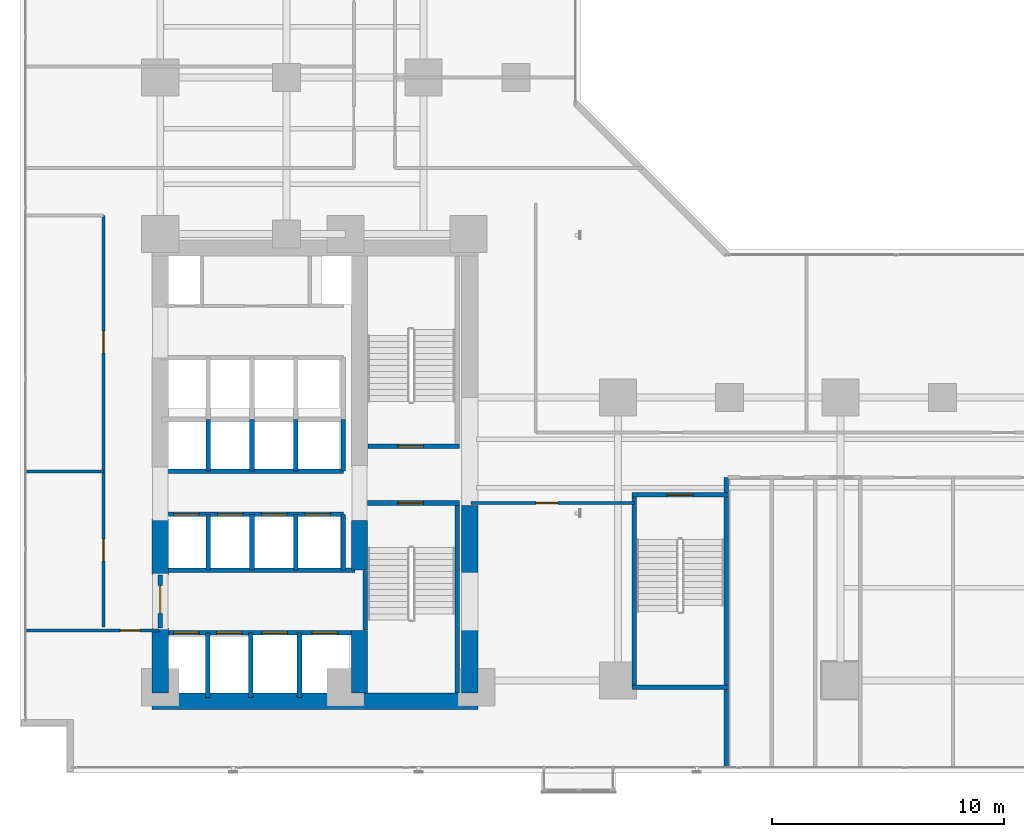
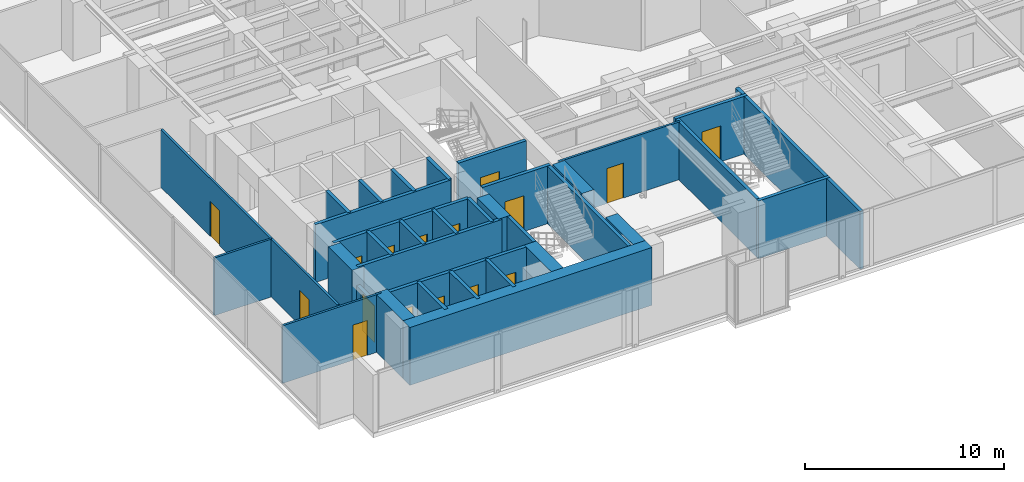
# One storey, part 22 of 27: 35 walls, 16 doors, 16 openings.
"""IFC4 building model written with IfcOpenShell, lengths in metres."""

from ifc_helpers import new_model, si_unit, direction, frame, frame_2d, origin, place, context, subcontext, project, spatial, rectangle, extrude, material, layer, layer_set, type_object, element, fill, save


model = new_model("IFC4")

# Units and contexts
model_context = context("Model", 3, precision=1e-05, world=origin(), true_north=direction((0.0, 1.0)))
body_context = subcontext(model_context, "Body", "Model", "MODEL_VIEW")
ifc_project = project(units=[si_unit("LENGTHUNIT", "METRE"), si_unit("AREAUNIT", "SQUARE_METRE"), si_unit("VOLUMEUNIT", "CUBIC_METRE"), si_unit("PLANEANGLEUNIT", "RADIAN"), si_unit("MASSUNIT", "GRAM", prefix="KILO")], contexts=[model_context])

# Site, building, storey
site_placement = place(None, origin())
site = spatial("IfcSite", under=ifc_project, at=site_placement, CompositionType="ELEMENT")
building_placement = place(site_placement, origin())
building = spatial("IfcBuilding", under=site, at=building_placement, Name="Kolvaren Waterfront Exchange", CompositionType="ELEMENT")
storey_placement = place(building_placement, frame((0.0, 0.0, 60.0)))
storey = spatial("IfcBuildingStorey", under=building, at=storey_placement, Name="L15", CompositionType="ELEMENT", Elevation=60.0)

# Wall, opening, door
ifc_material_1 = material(Name="Precast concrete C40/50", Category="concrete")
ifc_layer_1 = layer(ifc_material_1, 0.199951171875, Name="Precast concrete C40/50")
ifc_layer_set_1 = layer_set([ifc_layer_1], Name="Precast concrete C40/50")
wall_type_1 = type_object("IfcWallType", Name="ARC-FIRE-200", PredefinedType="PARTITIONING", material=ifc_layer_set_1)
wall_1_placement = place(storey_placement, frame((16.39990234375, 12.85009765625, 0.0), z_axis=(0.0, 0.0, 1.0), x_axis=(1.0, 0.0, 0.0)))
wall_1 = element("IfcWall", 1, at=wall_1_placement, inside=storey, type_object=wall_type_1, Name="L15 interior wall PW-L15-ST1-THROAT-S", PredefinedType="PARTITIONING", context=body_context, shape_type="SweptSolid", body=[
    extrude(rectangle(XDim=3.960205078125, YDim=0.199951171875, at=frame_2d((1.97998046875, 0.0))), origin(), (0.0, 0.0, 1.0), 3.5400390625),
])
opening_1_placement = place(wall_1_placement, frame((1.3037109375, 0.0, 0.0)))
opening_1 = element("IfcOpeningElement", 2, at=opening_1_placement, cuts=wall_1, Name="Opening FD2", PredefinedType="OPENING", context=body_context, shape_type="SweptSolid", body=[
    extrude(rectangle(XDim=1.10009765625, YDim=2.199951171875, at=frame_2d((0.550048828125, 1.10009765625))), frame((0.0, 0.10986328125, 0.0), z_axis=(0.0, -1.0, 0.0), x_axis=(1.0, 0.0, 0.0)), (0.0, 0.0, 1.0), 0.219970703125),
])
ifc_material_2 = material(Name="Pressed steel smoke-seal fire door", Category="steel")
door_type_1 = type_object("IfcDoorType", Name="ARC-FD-1100", OperationType="NOTDEFINED", PredefinedType="DOOR", material=ifc_material_2)
door_1_placement = place(opening_1_placement, frame((1.10009765625, 0.0, 0.0), z_axis=(0.0, 0.0, 1.0), x_axis=(-1.0, 0.0, 0.0)))
door_1 = element("IfcDoor", 3, at=door_1_placement, inside=storey, type_object=door_type_1, Name="L15 door DR-L15-ST1-IN (FD2)", OperationType="SINGLE_SWING_LEFT", OverallHeight=2.199951171875, OverallWidth=1.10009765625, PredefinedType="DOOR", context=body_context, shape_type="SweptSolid", body=[
    extrude(rectangle(XDim=1.10009765625, YDim=2.199951171875, at=frame_2d((0.550048828125, 1.10009765625))), frame((0.0, 0.02490234375, 0.0), z_axis=(0.0, -1.0, 0.0), x_axis=(1.0, 0.0, 0.0)), (0.0, 0.0, 1.0), 0.050048828125),
])
fill(opening_1, door_1)

wall_2_placement = place(storey_placement, frame((16.409912109375, 15.300048828125, 0.0), z_axis=(0.0, 0.0, 1.0), x_axis=(1.0, 0.0, 0.0)))
wall_2 = element("IfcWall", 4, at=wall_2_placement, inside=storey, type_object=wall_type_1, Name="L15 interior wall PW-L15-ST2-THROAT-N", PredefinedType="PARTITIONING", context=body_context, shape_type="SweptSolid", body=[
    extrude(rectangle(XDim=3.9501953125, YDim=0.199951171875, at=frame_2d((1.97509765625, 0.0))), origin(), (0.0, 0.0, 1.0), 3.5400390625),
])
opening_2_placement = place(wall_2_placement, frame((1.293701171875, 0.0, 0.0)))
opening_2 = element("IfcOpeningElement", 5, at=opening_2_placement, cuts=wall_2, Name="Opening FD2", PredefinedType="OPENING", context=body_context, shape_type="SweptSolid", body=[
    extrude(rectangle(XDim=1.10009765625, YDim=2.199951171875, at=frame_2d((0.550048828125, 1.10009765625))), frame((0.0, 0.10986328125, 0.0), z_axis=(0.0, -1.0, 0.0), x_axis=(1.0, 0.0, 0.0)), (0.0, 0.0, 1.0), 0.219970703125),
])
door_2_placement = place(opening_2_placement, origin())
door_2 = element("IfcDoor", 6, at=door_2_placement, inside=storey, type_object=door_type_1, Name="L15 door DR-L15-ST2-IN (FD2)", OperationType="SINGLE_SWING_RIGHT", OverallHeight=2.199951171875, OverallWidth=1.10009765625, PredefinedType="DOOR", context=body_context, shape_type="SweptSolid", body=[
    extrude(rectangle(XDim=1.10009765625, YDim=2.199951171875, at=frame_2d((0.550048828125, 1.10009765625))), frame((0.0, 0.02490234375, 0.0), z_axis=(0.0, -1.0, 0.0), x_axis=(1.0, 0.0, 0.0)), (0.0, 0.0, 1.0), 0.050048828125),
])
fill(opening_2, door_2)

# Wall
wall_3_placement = place(storey_placement, frame((7.5, 9.949951171875, 0.0), z_axis=(0.0, 0.0, 1.0), x_axis=(1.0, 0.0, 0.0)))
element("IfcWall", 7, at=wall_3_placement, inside=storey, type_object=wall_type_1, Name="L15 interior wall PW-L15-FF-N", PredefinedType="PARTITIONING", context=body_context, shape_type="SweptSolid", body=[
    extrude(rectangle(XDim=8.35009765625, YDim=0.199951171875, at=frame_2d((4.175048828125, 0.0))), origin(), (0.0, 0.0, 1.0), 3.5400390625),
])

# Wall, opening, door
wall_4_placement = place(storey_placement, frame((7.449951171875, 7.449951171875, 0.0), z_axis=(0.0, 0.0, 1.0), x_axis=(0.0, 1.0, 0.0)))
wall_4 = element("IfcWall", 8, at=wall_4_placement, inside=storey, type_object=wall_type_1, Name="L15 interior wall PW-L15-FF-W-DOOR", PredefinedType="PARTITIONING", context=body_context, shape_type="SweptSolid", body=[
    extrude(rectangle(XDim=2.300048828125, YDim=0.199951171875, at=frame_2d((1.14990234375, 0.0))), origin(), (0.0, 0.0, 1.0), 2.52001953125),
])
opening_3_placement = place(wall_4_placement, frame((0.63330078125, 0.0, 0.0)))
opening_3 = element("IfcOpeningElement", 9, at=opening_3_placement, cuts=wall_4, Name="Opening FD3", PredefinedType="OPENING", context=body_context, shape_type="SweptSolid", body=[
    extrude(rectangle(XDim=1.199951171875, YDim=2.25, at=frame_2d((0.60009765625, 1.125))), frame((0.0, 0.10986328125, 0.0), z_axis=(0.0, -1.0, 0.0), x_axis=(1.0, 0.0, 0.0)), (0.0, 0.0, 1.0), 0.219970703125),
])
ifc_material_3 = material(Name="Pressed steel fire door", Category="steel")
door_type_2 = type_object("IfcDoorType", Name="ARC-FD-1200", OperationType="NOTDEFINED", PredefinedType="DOOR", material=ifc_material_3)
door_3_placement = place(opening_3_placement, frame((1.199951171875, 0.0, 0.0), z_axis=(0.0, 0.0, 1.0), x_axis=(-1.0, 0.0, 0.0)))
door_3 = element("IfcDoor", 10, at=door_3_placement, inside=storey, type_object=door_type_2, Name="L15 door DR-L15-FF-OUT (FD3)", OperationType="SINGLE_SWING_RIGHT", OverallHeight=2.25, OverallWidth=1.199951171875, PredefinedType="DOOR", context=body_context, shape_type="SweptSolid", body=[
    extrude(rectangle(XDim=1.199951171875, YDim=2.25, at=frame_2d((0.60009765625, 1.125))), frame((0.0, 0.02490234375, 0.0), z_axis=(0.0, -1.0, 0.0), x_axis=(1.0, 0.0, 0.0)), (0.0, 0.0, 1.0), 0.050048828125),
])
fill(opening_3, door_3)

ifc_material_4 = material(Name="Acoustic gypsum steel stud", Category="steel")
ifc_layer_2 = layer(ifc_material_4, 0.125, Name="Acoustic gypsum steel stud")
ifc_layer_set_2 = layer_set([ifc_layer_2], Name="Acoustic gypsum steel stud")
wall_type_2 = type_object("IfcWallType", Name="ARC-PART-125", PredefinedType="PARTITIONING", material=ifc_layer_set_2)
wall_5_placement = place(storey_placement, frame((1.639892578125, 7.35009765625, 0.0), z_axis=(0.0, 0.0, 1.0), x_axis=(1.0, 0.0, 0.0)))
wall_5 = element("IfcWall", 11, at=wall_5_placement, inside=storey, type_object=wall_type_2, Name="L15 interior wall PW-L15-SWC-N", PredefinedType="PARTITIONING", context=body_context, shape_type="SweptSolid", body=[
    extrude(rectangle(XDim=5.760009765625, YDim=0.125, at=frame_2d((2.8798828125, 0.0))), origin(), (0.0, 0.0, 1.0), 3.5400390625),
])
opening_4_placement = place(wall_5_placement, frame((4.086669921875, 0.0, 0.0)))
opening_4 = element("IfcOpeningElement", 12, at=opening_4_placement, cuts=wall_5, Name="Opening D01", PredefinedType="OPENING", context=body_context, shape_type="SweptSolid", body=[
    extrude(rectangle(XDim=0.85009765625, YDim=2.14990234375, at=frame_2d((0.425048828125, 1.074951171875))), frame((0.0, 0.072509765625, 0.0), z_axis=(0.0, -1.0, 0.0), x_axis=(1.0, 0.0, 0.0)), (0.0, 0.0, 1.0), 0.14501953125),
])
ifc_material_5 = material(Name="Oak veneer timber leaf", Category="wood")
door_type_3 = type_object("IfcDoorType", Name="ARC-DR-900", OperationType="NOTDEFINED", PredefinedType="DOOR", material=ifc_material_5)
door_4_placement = place(opening_4_placement, origin())
door_4 = element("IfcDoor", 13, at=door_4_placement, inside=storey, type_object=door_type_3, Name="L15 door DR-L15-SWC-D (D01)", OperationType="SINGLE_SWING_RIGHT", OverallHeight=2.14990234375, OverallWidth=0.85009765625, PredefinedType="DOOR", context=body_context, shape_type="SweptSolid", body=[
    extrude(rectangle(XDim=0.85009765625, YDim=2.14990234375, at=frame_2d((0.425048828125, 1.074951171875))), frame((0.0, 0.02490234375, 0.0), z_axis=(0.0, -1.0, 0.0), x_axis=(1.0, 0.0, 0.0)), (0.0, 0.0, 1.0), 0.050048828125),
])
fill(opening_4, door_4)

# Wall, openings, doors
wall_6_placement = place(storey_placement, frame((5.0, 7.5, 0.0), z_axis=(0.0, 0.0, 1.0), x_axis=(0.0, 1.0, 0.0)))
wall_6 = element("IfcWall", 14, at=wall_6_placement, inside=storey, type_object=wall_type_2, Name="L15 interior wall PW-L15-WFLANK-E", PredefinedType="PARTITIONING", context=body_context, shape_type="SweptSolid", body=[
    extrude(rectangle(XDim=17.75, YDim=0.125, at=frame_2d((8.875, 0.0))), origin(), (0.0, 0.0, 1.0), 3.5400390625),
])
opening_5_placement = place(wall_6_placement, frame((2.85009765625, 0.0, 0.0)))
opening_5 = element("IfcOpeningElement", 15, at=opening_5_placement, cuts=wall_6, Name="Opening D02", PredefinedType="OPENING", context=body_context, shape_type="SweptSolid", body=[
    extrude(rectangle(XDim=0.949951171875, YDim=2.14990234375, at=frame_2d((0.47509765625, 1.074951171875))), frame((0.0, 0.072509765625, 0.0), z_axis=(0.0, -1.0, 0.0), x_axis=(1.0, 0.0, 0.0)), (0.0, 0.0, 1.0), 0.14501953125),
])
opening_6_placement = place(wall_6_placement, frame((11.82080078125, 0.0, 0.0)))
opening_6 = element("IfcOpeningElement", 16, at=opening_6_placement, cuts=wall_6, Name="Opening D02", PredefinedType="OPENING", context=body_context, shape_type="SweptSolid", body=[
    extrude(rectangle(XDim=0.949951171875, YDim=2.14990234375, at=frame_2d((0.47509765625, 1.074951171875))), frame((0.0, 0.072509765625, 0.0), z_axis=(0.0, -1.0, 0.0), x_axis=(1.0, 0.0, 0.0)), (0.0, 0.0, 1.0), 0.14501953125),
])
ifc_material_6 = material(Name="Oak veneer acoustic timber", Category="wood")
door_type_4 = type_object("IfcDoorType", Name="ARC-DR-950", OperationType="NOTDEFINED", PredefinedType="DOOR", material=ifc_material_6)
door_5_placement = place(opening_5_placement, origin())
door_5 = element("IfcDoor", 17, at=door_5_placement, inside=storey, type_object=door_type_4, Name="L15 door DR-L15-WFL1-D (D02)", OperationType="SINGLE_SWING_LEFT", OverallHeight=2.14990234375, OverallWidth=0.949951171875, PredefinedType="DOOR", context=body_context, shape_type="SweptSolid", body=[
    extrude(rectangle(XDim=0.949951171875, YDim=2.14990234375, at=frame_2d((0.47509765625, 1.074951171875))), frame((0.0, 0.02490234375, 0.0), z_axis=(0.0, -1.0, 0.0), x_axis=(1.0, 0.0, 0.0)), (0.0, 0.0, 1.0), 0.050048828125),
])
fill(opening_5, door_5)
door_6_placement = place(opening_6_placement, origin())
door_6 = element("IfcDoor", 18, at=door_6_placement, inside=storey, type_object=door_type_4, Name="L15 door DR-L15-WFL2-D (D02)", OperationType="SINGLE_SWING_RIGHT", OverallHeight=2.14990234375, OverallWidth=0.949951171875, PredefinedType="DOOR", context=body_context, shape_type="SweptSolid", body=[
    extrude(rectangle(XDim=0.949951171875, YDim=2.14990234375, at=frame_2d((0.47509765625, 1.074951171875))), frame((0.0, 0.02490234375, 0.0), z_axis=(0.0, -1.0, 0.0), x_axis=(1.0, 0.0, 0.0)), (0.0, 0.0, 1.0), 0.050048828125),
])
fill(opening_6, door_6)

# Wall
wall_7_placement = place(storey_placement, frame((1.639892578125, 14.199951171875, 0.0), z_axis=(0.0, 0.0, 1.0), x_axis=(1.0, 0.0, 0.0)))
element("IfcWall", 19, at=wall_7_placement, inside=storey, type_object=wall_type_2, Name="L15 interior wall PW-L15-WFLANK-MID", PredefinedType="PARTITIONING", context=body_context, shape_type="SweptSolid", body=[
    extrude(rectangle(XDim=3.360107421875, YDim=0.125, at=frame_2d((1.68017578125, 0.0))), origin(), (0.0, 0.0, 1.0), 3.5400390625),
])

# Wall, opening, door
wall_8_placement = place(storey_placement, frame((20.85009765625, 12.85009765625, 0.0), z_axis=(0.0, 0.0, 1.0), x_axis=(1.0, 0.0, 0.0)))
wall_8 = element("IfcWall", 20, at=wall_8_placement, inside=storey, type_object=wall_type_2, Name="L15 interior wall PW-L15-SWST3-N", PredefinedType="PARTITIONING", context=body_context, shape_type="SweptSolid", body=[
    extrude(rectangle(XDim=7.0498046875, YDim=0.125, at=frame_2d((3.52490234375, 0.0))), origin(), (0.0, 0.0, 1.0), 3.5400390625),
])
opening_7_placement = place(wall_8_placement, frame((2.800048828125, 0.0, 0.0)))
opening_7 = element("IfcOpeningElement", 21, at=opening_7_placement, cuts=wall_8, Name="Opening D02", PredefinedType="OPENING", context=body_context, shape_type="SweptSolid", body=[
    extrude(rectangle(XDim=0.949951171875, YDim=2.14990234375, at=frame_2d((0.47509765625, 1.074951171875))), frame((0.0, 0.072509765625, 0.0), z_axis=(0.0, -1.0, 0.0), x_axis=(1.0, 0.0, 0.0)), (0.0, 0.0, 1.0), 0.14501953125),
])
door_7_placement = place(opening_7_placement, origin())
door_7 = element("IfcDoor", 22, at=door_7_placement, inside=storey, type_object=door_type_4, Name="L15 door DR-L15-SWST3-D (D02)", OperationType="SINGLE_SWING_LEFT", OverallHeight=2.14990234375, OverallWidth=0.949951171875, PredefinedType="DOOR", context=body_context, shape_type="SweptSolid", body=[
    extrude(rectangle(XDim=0.949951171875, YDim=2.14990234375, at=frame_2d((0.47509765625, 1.074951171875))), frame((0.0, 0.02490234375, 0.0), z_axis=(0.0, -1.0, 0.0), x_axis=(1.0, 0.0, 0.0)), (0.0, 0.0, 1.0), 0.050048828125),
])
fill(opening_7, door_7)

# Walls
ifc_material_7 = material(Name="Concrete C40/50", Category="concrete")
ifc_layer_3 = layer(ifc_material_7, 0.199951171875, Name="Concrete C40/50")
ifc_layer_set_3 = layer_set([ifc_layer_3], Name="Concrete C40/50")
wall_type_3 = type_object("IfcWallType", Name="ARC-SHAFT-200", PredefinedType="PARTITIONING", material=ifc_layer_set_3)
wall_9_placement = place(storey_placement, frame((16.300048828125, 7.360107421875, 0.0), z_axis=(0.0, 0.0, 1.0), x_axis=(0.0, 1.0, 0.0)))
element("IfcWall", 23, at=wall_9_placement, inside=storey, type_object=wall_type_3, Name="L15 structural stairwell wall PW-L15-ST1-W", PredefinedType="SHEAR", context=body_context, shape_type="SweptSolid", body=[
    extrude(rectangle(XDim=2.579833984375, YDim=0.199951171875, at=frame_2d((1.2900390625, 0.0))), origin(), (0.0, 0.0, 1.0), 3.5400390625),
])
wall_10_placement = place(storey_placement, frame((20.260009765625, 4.659912109375, 0.0), z_axis=(0.0, 0.0, 1.0), x_axis=(0.0, 1.0, 0.0)))
element("IfcWall", 24, at=wall_10_placement, inside=storey, type_object=wall_type_3, Name="L15 structural stairwell wall PW-L15-ST1-E", PredefinedType="SHEAR", context=body_context, shape_type="SweptSolid", body=[
    extrude(rectangle(XDim=8.090087890625, YDim=0.199951171875, at=frame_2d((4.044921875, 0.0))), origin(), (0.0, 0.0, 1.0), 3.5400390625),
])
wall_11_placement = place(storey_placement, frame((27.89990234375, 5.0, 0.0), z_axis=(0.0, 0.0, 1.0), x_axis=(0.0, 1.0, 0.0)))
element("IfcWall", 25, at=wall_11_placement, inside=storey, type_object=wall_type_3, Name="L15 structural stairwell wall PW-L15-ST3-W", PredefinedType="SHEAR", context=body_context, shape_type="SweptSolid", body=[
    extrude(rectangle(XDim=8.10009765625, YDim=0.199951171875, at=frame_2d((4.050048828125, 0.0))), origin(), (0.0, 0.0, 1.0), 3.5400390625),
])
wall_12_placement = place(storey_placement, frame((31.860107421875, 1.43994140625, 0.0), z_axis=(0.0, 0.0, 1.0), x_axis=(0.0, 1.0, 0.0)))
element("IfcWall", 26, at=wall_12_placement, inside=storey, type_object=wall_type_3, Name="L15 structural stairwell wall PW-L15-ST3-E", PredefinedType="SHEAR", context=body_context, shape_type="SweptSolid", body=[
    extrude(rectangle(XDim=12.510009765625, YDim=0.199951171875, at=frame_2d((6.2548828125, 0.0))), origin(), (0.0, 0.0, 1.0), 3.5400390625),
])
wall_13_placement = place(storey_placement, frame((27.800048828125, 4.89990234375, 0.0), z_axis=(0.0, 0.0, 1.0), x_axis=(1.0, 0.0, 0.0)))
element("IfcWall", 27, at=wall_13_placement, inside=storey, type_object=wall_type_3, Name="L15 structural stairwell wall PW-L15-ST3-S", PredefinedType="SHEAR", context=body_context, shape_type="SweptSolid", body=[
    extrude(rectangle(XDim=4.159912109375, YDim=0.199951171875, at=frame_2d((2.080078125, 0.0))), origin(), (0.0, 0.0, 1.0), 3.5400390625),
])

# Wall, opening, door
wall_14_placement = place(storey_placement, frame((27.800048828125, 13.199951171875, 0.0), z_axis=(0.0, 0.0, 1.0), x_axis=(1.0, 0.0, 0.0)))
wall_14 = element("IfcWall", 28, at=wall_14_placement, inside=storey, type_object=wall_type_3, Name="L15 structural stairwell wall PW-L15-ST3-N", PredefinedType="SHEAR", context=body_context, shape_type="SweptSolid", body=[
    extrude(rectangle(XDim=4.159912109375, YDim=0.199951171875, at=frame_2d((2.080078125, 0.0))), origin(), (0.0, 0.0, 1.0), 3.5400390625),
])
opening_8_placement = place(wall_14_placement, frame((1.530029296875, 0.0, 0.0)))
opening_8 = element("IfcOpeningElement", 29, at=opening_8_placement, cuts=wall_14, Name="Opening FD2", PredefinedType="OPENING", context=body_context, shape_type="SweptSolid", body=[
    extrude(rectangle(XDim=1.10009765625, YDim=2.199951171875, at=frame_2d((0.550048828125, 1.10009765625))), frame((0.0, 0.10986328125, 0.0), z_axis=(0.0, -1.0, 0.0), x_axis=(1.0, 0.0, 0.0)), (0.0, 0.0, 1.0), 0.219970703125),
])
door_8_placement = place(opening_8_placement, frame((1.10009765625, 0.0, 0.0), z_axis=(0.0, 0.0, 1.0), x_axis=(-1.0, 0.0, 0.0)))
door_8 = element("IfcDoor", 30, at=door_8_placement, inside=storey, type_object=door_type_1, Name="L15 door DR-L15-ST3-IN (FD2)", OperationType="SINGLE_SWING_LEFT", OverallHeight=2.199951171875, OverallWidth=1.10009765625, PredefinedType="DOOR", context=body_context, shape_type="SweptSolid", body=[
    extrude(rectangle(XDim=1.10009765625, YDim=2.199951171875, at=frame_2d((0.550048828125, 1.10009765625))), frame((0.0, 0.02490234375, 0.0), z_axis=(0.0, -1.0, 0.0), x_axis=(1.0, 0.0, 0.0)), (0.0, 0.0, 1.0), 0.050048828125),
])
fill(opening_8, door_8)

# Wall, openings, doors
wall_15_placement = place(storey_placement, frame((7.5, 7.25, 0.0), z_axis=(0.0, 0.0, 1.0), x_axis=(1.0, 0.0, 0.0)))
wall_15 = element("IfcWall", 31, at=wall_15_placement, inside=storey, type_object=wall_type_3, Name="L15 interior wall PW-L15-FF-S", PredefinedType="PARTITIONING", context=body_context, shape_type="SweptSolid", body=[
    extrude(rectangle(XDim=8.35009765625, YDim=0.199951171875, at=frame_2d((4.175048828125, 0.0))), origin(), (0.0, 0.0, 1.0), 3.5400390625),
])
opening_9_placement = place(wall_15_placement, frame((0.530029296875, 0.0, 0.0)))
opening_9 = element("IfcOpeningElement", 32, at=opening_9_placement, cuts=wall_15, Name="Opening LD1", PredefinedType="OPENING", context=body_context, shape_type="SweptSolid", body=[
    extrude(rectangle(XDim=1.10009765625, YDim=2.199951171875, at=frame_2d((0.550048828125, 1.10009765625))), frame((0.0, 0.10986328125, 0.0), z_axis=(0.0, -1.0, 0.0), x_axis=(1.0, 0.0, 0.0)), (0.0, 0.0, 1.0), 0.219970703125),
])
opening_10_placement = place(wall_15_placement, frame((2.3701171875, 0.0, 0.0)))
opening_10 = element("IfcOpeningElement", 33, at=opening_10_placement, cuts=wall_15, Name="Opening LD1", PredefinedType="OPENING", context=body_context, shape_type="SweptSolid", body=[
    extrude(rectangle(XDim=1.10009765625, YDim=2.199951171875, at=frame_2d((0.550048828125, 1.10009765625))), frame((0.0, 0.10986328125, 0.0), z_axis=(0.0, -1.0, 0.0), x_axis=(1.0, 0.0, 0.0)), (0.0, 0.0, 1.0), 0.219970703125),
])
opening_11_placement = place(wall_15_placement, frame((4.330078125, 0.0, 0.0)))
opening_11 = element("IfcOpeningElement", 34, at=opening_11_placement, cuts=wall_15, Name="Opening LD1", PredefinedType="OPENING", context=body_context, shape_type="SweptSolid", body=[
    extrude(rectangle(XDim=1.10009765625, YDim=2.199951171875, at=frame_2d((0.550048828125, 1.10009765625))), frame((0.0, 0.10986328125, 0.0), z_axis=(0.0, -1.0, 0.0), x_axis=(1.0, 0.0, 0.0)), (0.0, 0.0, 1.0), 0.219970703125),
])
opening_12_placement = place(wall_15_placement, frame((6.5, 0.0, 0.0)))
opening_12 = element("IfcOpeningElement", 35, at=opening_12_placement, cuts=wall_15, Name="Opening LD1", PredefinedType="OPENING", context=body_context, shape_type="SweptSolid", body=[
    extrude(rectangle(XDim=1.10009765625, YDim=2.199951171875, at=frame_2d((0.550048828125, 1.10009765625))), frame((0.0, 0.10986328125, 0.0), z_axis=(0.0, -1.0, 0.0), x_axis=(1.0, 0.0, 0.0)), (0.0, 0.0, 1.0), 0.219970703125),
])
ifc_material_8 = material(Name="Stainless steel sliding landing door", Category="steel")
door_type_5 = type_object("IfcDoorType", Name="ARC-LD-FF", OperationType="SLIDING_TO_LEFT", PredefinedType="DOOR", material=ifc_material_8)
door_9_placement = place(opening_9_placement, origin())
door_9 = element("IfcDoor", 36, at=door_9_placement, inside=storey, type_object=door_type_5, Name="L15 door LD-L15-FFL1 (LD1)", OperationType="SLIDING_TO_LEFT", OverallHeight=2.199951171875, OverallWidth=1.10009765625, PredefinedType="DOOR", context=body_context, shape_type="SweptSolid", body=[
    extrude(rectangle(XDim=1.10009765625, YDim=2.199951171875, at=frame_2d((0.550048828125, 1.10009765625))), frame((0.0, 0.02490234375, 0.0), z_axis=(0.0, -1.0, 0.0), x_axis=(1.0, 0.0, 0.0)), (0.0, 0.0, 1.0), 0.050048828125),
])
fill(opening_9, door_9)
door_10_placement = place(opening_10_placement, origin())
door_10 = element("IfcDoor", 37, at=door_10_placement, inside=storey, type_object=door_type_5, Name="L15 door LD-L15-FFL2 (LD1)", OperationType="SLIDING_TO_LEFT", OverallHeight=2.199951171875, OverallWidth=1.10009765625, PredefinedType="DOOR", context=body_context, shape_type="SweptSolid", body=[
    extrude(rectangle(XDim=1.10009765625, YDim=2.199951171875, at=frame_2d((0.550048828125, 1.10009765625))), frame((0.0, 0.02490234375, 0.0), z_axis=(0.0, -1.0, 0.0), x_axis=(1.0, 0.0, 0.0)), (0.0, 0.0, 1.0), 0.050048828125),
])
fill(opening_10, door_10)
door_11_placement = place(opening_11_placement, origin())
door_11 = element("IfcDoor", 38, at=door_11_placement, inside=storey, type_object=door_type_5, Name="L15 door LD-L15-GL1 (LD1)", OperationType="SLIDING_TO_LEFT", OverallHeight=2.199951171875, OverallWidth=1.10009765625, PredefinedType="DOOR", context=body_context, shape_type="SweptSolid", body=[
    extrude(rectangle(XDim=1.10009765625, YDim=2.199951171875, at=frame_2d((0.550048828125, 1.10009765625))), frame((0.0, 0.02490234375, 0.0), z_axis=(0.0, -1.0, 0.0), x_axis=(1.0, 0.0, 0.0)), (0.0, 0.0, 1.0), 0.050048828125),
])
fill(opening_11, door_11)
door_12_placement = place(opening_12_placement, origin())
door_12 = element("IfcDoor", 39, at=door_12_placement, inside=storey, type_object=door_type_5, Name="L15 door LD-L15-GL2 (LD1)", OperationType="SLIDING_TO_LEFT", OverallHeight=2.199951171875, OverallWidth=1.10009765625, PredefinedType="DOOR", context=body_context, shape_type="SweptSolid", body=[
    extrude(rectangle(XDim=1.10009765625, YDim=2.199951171875, at=frame_2d((0.550048828125, 1.10009765625))), frame((0.0, 0.02490234375, 0.0), z_axis=(0.0, -1.0, 0.0), x_axis=(1.0, 0.0, 0.0)), (0.0, 0.0, 1.0), 0.050048828125),
])
fill(opening_12, door_12)

# Walls
for number, where, z_axis, x_axis, name in (
    (40, (9.5, 4.449951171875, 0.0), (0.0, 0.0, 1.0), (0.0, 1.0, 0.0), "L15 interior wall PW-L15-SH1-DIV-95"),
    (41, (11.360107421875, 4.449951171875, 0.0), (0.0, 0.0, 1.0), (0.0, 1.0, 0.0), "L15 interior wall PW-L15-SH1-DIV-113"),
    (42, (13.4599609375, 4.449951171875, 0.0), (0.0, 0.0, 1.0), (0.0, 1.0, 0.0), "L15 interior wall PW-L15-SH1-DIV-134"),
):
    element("IfcWall", number, at=place(storey_placement, frame(where, z_axis=z_axis, x_axis=x_axis)), inside=storey, type_object=wall_type_3, Name=name, PredefinedType="PARTITIONING", context=body_context, shape_type="SweptSolid", body=[
        extrude(rectangle(XDim=2.800048828125, YDim=0.199951171875, at=frame_2d((1.39990234375, 0.0))), origin(), (0.0, 0.0, 1.0), 3.5400390625),
    ])

# Wall, openings, doors
wall_16_placement = place(storey_placement, frame((7.5, 12.360107421875, 0.0), z_axis=(0.0, 0.0, 1.0), x_axis=(1.0, 0.0, 0.0)))
wall_16 = element("IfcWall", 43, at=wall_16_placement, inside=storey, type_object=wall_type_3, Name="L15 interior wall PW-L15-PL-N", PredefinedType="PARTITIONING", context=body_context, shape_type="SweptSolid", body=[
    extrude(rectangle(XDim=7.85009765625, YDim=0.199951171875, at=frame_2d((3.925048828125, 0.0))), origin(), (0.0, 0.0, 1.0), 3.5400390625),
])
opening_13_placement = place(wall_16_placement, frame((0.530029296875, 0.0, 0.0)))
opening_13 = element("IfcOpeningElement", 44, at=opening_13_placement, cuts=wall_16, Name="Opening LD2", PredefinedType="OPENING", context=body_context, shape_type="SweptSolid", body=[
    extrude(rectangle(XDim=1.10009765625, YDim=2.199951171875, at=frame_2d((0.550048828125, 1.10009765625))), frame((0.0, 0.10986328125, 0.0), z_axis=(0.0, -1.0, 0.0), x_axis=(1.0, 0.0, 0.0)), (0.0, 0.0, 1.0), 0.219970703125),
])
opening_14_placement = place(wall_16_placement, frame((2.419921875, 0.0, 0.0)))
opening_14 = element("IfcOpeningElement", 45, at=opening_14_placement, cuts=wall_16, Name="Opening LD2", PredefinedType="OPENING", context=body_context, shape_type="SweptSolid", body=[
    extrude(rectangle(XDim=1.10009765625, YDim=2.199951171875, at=frame_2d((0.550048828125, 1.10009765625))), frame((0.0, 0.10986328125, 0.0), z_axis=(0.0, -1.0, 0.0), x_axis=(1.0, 0.0, 0.0)), (0.0, 0.0, 1.0), 0.219970703125),
])
opening_15_placement = place(wall_16_placement, frame((4.31005859375, 0.0, 0.0)))
opening_15 = element("IfcOpeningElement", 46, at=opening_15_placement, cuts=wall_16, Name="Opening LD2", PredefinedType="OPENING", context=body_context, shape_type="SweptSolid", body=[
    extrude(rectangle(XDim=1.10009765625, YDim=2.199951171875, at=frame_2d((0.550048828125, 1.10009765625))), frame((0.0, 0.10986328125, 0.0), z_axis=(0.0, -1.0, 0.0), x_axis=(1.0, 0.0, 0.0)), (0.0, 0.0, 1.0), 0.219970703125),
])
opening_16_placement = place(wall_16_placement, frame((6.199951171875, 0.0, 0.0)))
opening_16 = element("IfcOpeningElement", 47, at=opening_16_placement, cuts=wall_16, Name="Opening LD2", PredefinedType="OPENING", context=body_context, shape_type="SweptSolid", body=[
    extrude(rectangle(XDim=1.10009765625, YDim=2.199951171875, at=frame_2d((0.550048828125, 1.10009765625))), frame((0.0, 0.10986328125, 0.0), z_axis=(0.0, -1.0, 0.0), x_axis=(1.0, 0.0, 0.0)), (0.0, 0.0, 1.0), 0.219970703125),
])
ifc_material_9 = material(Name="Brushed bronze sliding landing door", Category="aluminium")
door_type_6 = type_object("IfcDoorType", Name="ARC-LD-PAX", OperationType="SLIDING_TO_LEFT", PredefinedType="DOOR", material=ifc_material_9)
door_13_placement = place(opening_13_placement, origin())
door_13 = element("IfcDoor", 48, at=door_13_placement, inside=storey, type_object=door_type_6, Name="L15 door LD-L15-PL1 (LD2)", OperationType="SLIDING_TO_LEFT", OverallHeight=2.199951171875, OverallWidth=1.10009765625, PredefinedType="DOOR", context=body_context, shape_type="SweptSolid", body=[
    extrude(rectangle(XDim=1.10009765625, YDim=2.199951171875, at=frame_2d((0.550048828125, 1.10009765625))), frame((0.0, 0.02490234375, 0.0), z_axis=(0.0, -1.0, 0.0), x_axis=(1.0, 0.0, 0.0)), (0.0, 0.0, 1.0), 0.050048828125),
])
fill(opening_13, door_13)
door_14_placement = place(opening_14_placement, origin())
door_14 = element("IfcDoor", 49, at=door_14_placement, inside=storey, type_object=door_type_6, Name="L15 door LD-L15-PL2 (LD2)", OperationType="SLIDING_TO_LEFT", OverallHeight=2.199951171875, OverallWidth=1.10009765625, PredefinedType="DOOR", context=body_context, shape_type="SweptSolid", body=[
    extrude(rectangle(XDim=1.10009765625, YDim=2.199951171875, at=frame_2d((0.550048828125, 1.10009765625))), frame((0.0, 0.02490234375, 0.0), z_axis=(0.0, -1.0, 0.0), x_axis=(1.0, 0.0, 0.0)), (0.0, 0.0, 1.0), 0.050048828125),
])
fill(opening_14, door_14)
door_15_placement = place(opening_15_placement, origin())
door_15 = element("IfcDoor", 50, at=door_15_placement, inside=storey, type_object=door_type_6, Name="L15 door LD-L15-PL3 (LD2)", OperationType="SLIDING_TO_LEFT", OverallHeight=2.199951171875, OverallWidth=1.10009765625, PredefinedType="DOOR", context=body_context, shape_type="SweptSolid", body=[
    extrude(rectangle(XDim=1.10009765625, YDim=2.199951171875, at=frame_2d((0.550048828125, 1.10009765625))), frame((0.0, 0.02490234375, 0.0), z_axis=(0.0, -1.0, 0.0), x_axis=(1.0, 0.0, 0.0)), (0.0, 0.0, 1.0), 0.050048828125),
])
fill(opening_15, door_15)
door_16_placement = place(opening_16_placement, origin())
door_16 = element("IfcDoor", 51, at=door_16_placement, inside=storey, type_object=door_type_6, Name="L15 door LD-L15-PL4 (LD2)", OperationType="SLIDING_TO_LEFT", OverallHeight=2.199951171875, OverallWidth=1.10009765625, PredefinedType="DOOR", context=body_context, shape_type="SweptSolid", body=[
    extrude(rectangle(XDim=1.10009765625, YDim=2.199951171875, at=frame_2d((0.550048828125, 1.10009765625))), frame((0.0, 0.02490234375, 0.0), z_axis=(0.0, -1.0, 0.0), x_axis=(1.0, 0.0, 0.0)), (0.0, 0.0, 1.0), 0.050048828125),
])
fill(opening_16, door_16)

# Walls
for number, where, z_axis, x_axis, name in (
    (52, (15.35009765625, 9.949951171875, 0.0), (0.0, 0.0, 1.0), (0.0, 1.0, 0.0), "L15 interior wall PW-L15-PL-E"),
    (53, (9.52001953125, 9.949951171875, 0.0), (0.0, 0.0, 1.0), (0.0, 1.0, 0.0), "L15 interior wall PW-L15-SH2-DIV-95"),
    (54, (11.409912109375, 9.949951171875, 0.0), (0.0, 0.0, 1.0), (0.0, 1.0, 0.0), "L15 interior wall PW-L15-SH2-DIV-114"),
    (55, (13.300048828125, 9.949951171875, 0.0), (0.0, 0.0, 1.0), (0.0, 1.0, 0.0), "L15 interior wall PW-L15-SH2-DIV-133"),
):
    element("IfcWall", number, at=place(storey_placement, frame(where, z_axis=z_axis, x_axis=x_axis)), inside=storey, type_object=wall_type_3, Name=name, PredefinedType="PARTITIONING", context=body_context, shape_type="SweptSolid", body=[
        extrude(rectangle(XDim=2.41015625, YDim=0.199951171875, at=frame_2d((1.205078125, 0.0))), origin(), (0.0, 0.0, 1.0), 3.5400390625),
    ])
wall_17_placement = place(storey_placement, frame((7.5, 14.219970703125, 0.0), z_axis=(0.0, 0.0, 1.0), x_axis=(1.0, 0.0, 0.0)))
element("IfcWall", 56, at=wall_17_placement, inside=storey, type_object=wall_type_3, Name="L15 interior wall PW-L15-PM-S", PredefinedType="PARTITIONING", context=body_context, shape_type="SweptSolid", body=[
    extrude(rectangle(XDim=7.85009765625, YDim=0.199951171875, at=frame_2d((3.925048828125, 0.0))), origin(), (0.0, 0.0, 1.0), 3.5400390625),
])
for number, where, z_axis, x_axis, name in (
    (57, (15.35009765625, 14.219970703125, 0.0), (0.0, 0.0, 1.0), (0.0, 1.0, 0.0), "L15 interior wall PW-L15-PM-E"),
    (58, (9.52001953125, 14.219970703125, 0.0), (0.0, 0.0, 1.0), (0.0, 1.0, 0.0), "L15 interior wall PW-L15-SH3-DIV-95"),
    (59, (11.409912109375, 14.219970703125, 0.0), (0.0, 0.0, 1.0), (0.0, 1.0, 0.0), "L15 interior wall PW-L15-SH3-DIV-114"),
    (60, (13.300048828125, 14.219970703125, 0.0), (0.0, 0.0, 1.0), (0.0, 1.0, 0.0), "L15 interior wall PW-L15-SH3-DIV-133"),
):
    element("IfcWall", number, at=place(storey_placement, frame(where, z_axis=z_axis, x_axis=x_axis)), inside=storey, type_object=wall_type_3, Name=name, PredefinedType="PARTITIONING", context=body_context, shape_type="SweptSolid", body=[
        extrude(rectangle(XDim=2.22998046875, YDim=0.199951171875, at=frame_2d((1.114990234375, 0.0))), origin(), (0.0, 0.0, 1.0), 3.5400390625),
    ])
ifc_material_10 = material(Name="Concrete C70/85", Category="concrete")
ifc_layer_4 = layer(ifc_material_10, 0.699951171875, Name="Concrete C70/85")
ifc_layer_set_4 = layer_set([ifc_layer_4], Name="Concrete C70/85")
wall_type_4 = type_object("IfcWallType", Name="STR-CWALL-700", PredefinedType="SHEAR", material=ifc_layer_set_4)
wall_18_placement = place(storey_placement, frame((7.10009765625, 4.300048828125, 0.0), z_axis=(0.0, 0.0, 1.0), x_axis=(1.0, 0.0, 0.0)))
element("IfcWall", 61, at=wall_18_placement, inside=storey, type_object=wall_type_4, Name="L15 rear-core shear wall S", PredefinedType="SHEAR", context=body_context, shape_type="SweptSolid", body=[
    extrude(rectangle(XDim=14.0498046875, YDim=0.699951171875, at=frame_2d((7.02490234375, 0.0))), origin(), (0.0, 0.0, 1.0), 3.5400390625),
])
wall_19_placement = place(storey_placement, frame((7.449951171875, 4.64990234375, 0.0), z_axis=(0.0, 0.0, 1.0), x_axis=(0.0, 1.0, 0.0)))
element("IfcWall", 62, at=wall_19_placement, inside=storey, type_object=wall_type_4, Name="L15 rear-core shear wall W1", PredefinedType="SHEAR", context=body_context, shape_type="SweptSolid", body=[
    extrude(rectangle(XDim=2.800048828125, YDim=0.699951171875, at=frame_2d((1.39990234375, 0.0))), origin(), (0.0, 0.0, 1.0), 3.5400390625),
])
wall_20_placement = place(storey_placement, frame((7.449951171875, 9.75, 0.0), z_axis=(0.0, 0.0, 1.0), x_axis=(0.0, 1.0, 0.0)))
element("IfcWall", 63, at=wall_20_placement, inside=storey, type_object=wall_type_4, Name="L15 rear-core shear wall W2A", PredefinedType="SHEAR", context=body_context, shape_type="SweptSolid", body=[
    extrude(rectangle(XDim=2.39990234375, YDim=0.699951171875, at=frame_2d((1.199951171875, 0.0))), origin(), (0.0, 0.0, 1.0), 3.5400390625),
])
wall_21_placement = place(storey_placement, frame((20.800048828125, 4.64990234375, 0.0), z_axis=(0.0, 0.0, 1.0), x_axis=(0.0, 1.0, 0.0)))
element("IfcWall", 64, at=wall_21_placement, inside=storey, type_object=wall_type_4, Name="L15 rear-core shear wall E1", PredefinedType="SHEAR", context=body_context, shape_type="SweptSolid", body=[
    extrude(rectangle(XDim=2.75, YDim=0.699951171875, at=frame_2d((1.375, 0.0))), origin(), (0.0, 0.0, 1.0), 3.5400390625),
])
wall_22_placement = place(storey_placement, frame((20.800048828125, 9.800048828125, 0.0), z_axis=(0.0, 0.0, 1.0), x_axis=(0.0, 1.0, 0.0)))
element("IfcWall", 65, at=wall_22_placement, inside=storey, type_object=wall_type_4, Name="L15 rear-core shear wall E2", PredefinedType="SHEAR", context=body_context, shape_type="SweptSolid", body=[
    extrude(rectangle(XDim=2.949951171875, YDim=0.699951171875, at=frame_2d((1.47509765625, 0.0))), origin(), (0.0, 0.0, 1.0), 3.5400390625),
])
wall_23_placement = place(storey_placement, frame((16.050048828125, 4.64990234375, 0.0), z_axis=(0.0, 0.0, 1.0), x_axis=(0.0, 1.0, 0.0)))
element("IfcWall", 66, at=wall_23_placement, inside=storey, type_object=wall_type_4, Name="L15 rear-core shear wall M1", PredefinedType="SHEAR", context=body_context, shape_type="SweptSolid", body=[
    extrude(rectangle(XDim=2.7001953125, YDim=0.699951171875, at=frame_2d((1.35009765625, 0.0))), origin(), (0.0, 0.0, 1.0), 3.5400390625),
])
wall_24_placement = place(storey_placement, frame((16.050048828125, 9.949951171875, 0.0), z_axis=(0.0, 0.0, 1.0), x_axis=(0.0, 1.0, 0.0)))
element("IfcWall", 67, at=wall_24_placement, inside=storey, type_object=wall_type_4, Name="L15 rear-core shear wall M2", PredefinedType="SHEAR", context=body_context, shape_type="SweptSolid", body=[
    extrude(rectangle(XDim=2.150146484375, YDim=0.699951171875, at=frame_2d((1.0751953125, 0.0))), origin(), (0.0, 0.0, 1.0), 3.5400390625),
])

save(model, "model.ifc")
